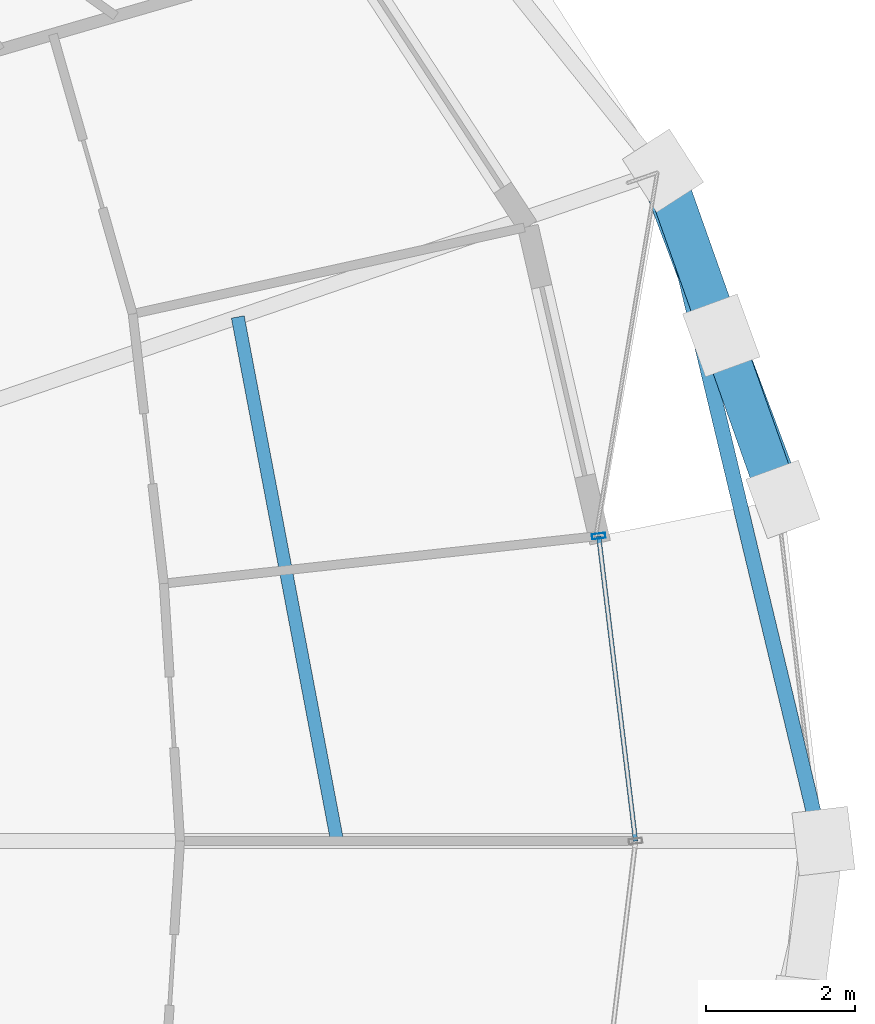
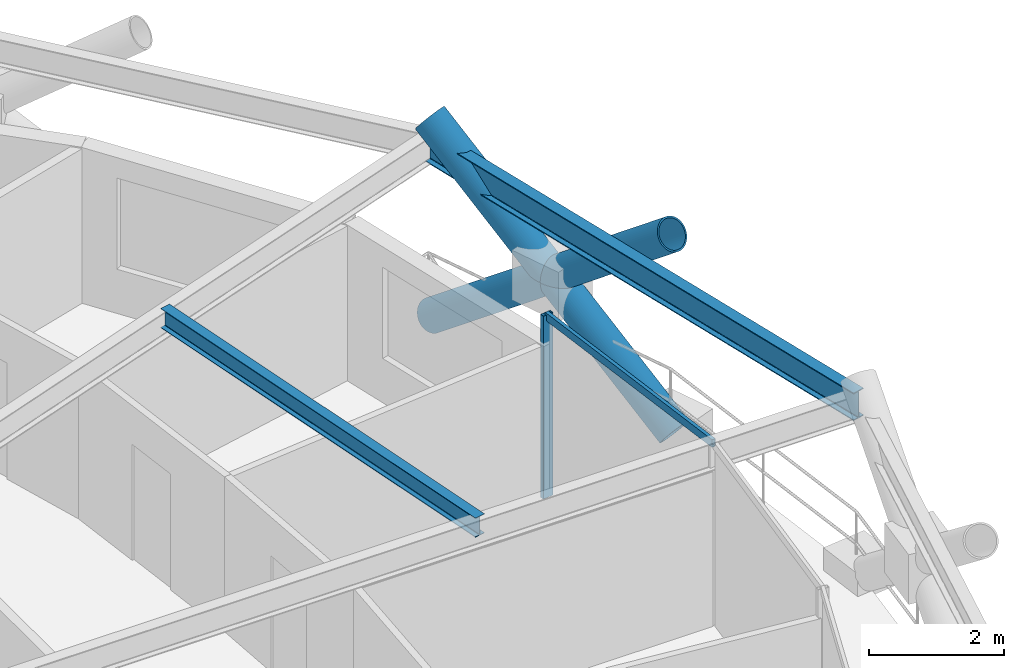
# One storey, part 12 of 20: 5 members, 2 beams, 1 element without a shape of its own.
"""IFC4 building model written with IfcOpenShell, lengths in metres."""

from ifc_helpers import new_model, si_unit, direction, frame, origin, origin_2d, place, context, subcontext, project, spatial, hollow_rectangle, hollow_circle, i_section, extrude, material, layer, layer_set, material_profile, profile_set, type_object, element, aggregate, save


model = new_model("IFC4")

# Units and contexts
model_context = context("Model", 3, precision=1e-05, world=origin(), true_north=direction((0.0, 1.0)))
body_context = subcontext(model_context, "Body", "Model", "MODEL_VIEW")
ifc_project = project(units=[si_unit("LENGTHUNIT", "METRE"), si_unit("AREAUNIT", "SQUARE_METRE"), si_unit("VOLUMEUNIT", "CUBIC_METRE"), si_unit("PLANEANGLEUNIT", "RADIAN"), si_unit("MASSUNIT", "GRAM", prefix="KILO")], contexts=[model_context])

# Site, building, storey
site_placement = place(None, origin())
site = spatial("IfcSite", under=ifc_project, at=site_placement, CompositionType="ELEMENT")
building_placement = place(site_placement, origin())
building = spatial("IfcBuilding", under=site, at=building_placement, Name="Veldorina Hangang Commons", CompositionType="ELEMENT")
storey_placement = place(building_placement, frame((0.0, 0.0, 153.199951171875)))
storey = spatial("IfcBuildingStorey", under=building, at=storey_placement, Name="L39", CompositionType="ELEMENT", Elevation=153.199951171875)

# Beams
ifc_material_1 = material(Name="Steel SM355-TMC", Category="steel")
ifc_material_profile_1 = material_profile(ifc_material_1, i_section(OverallWidth=0.175048828125, OverallDepth=0.35009765625, WebThickness=0.007080078125, FlangeThickness=0.010986328125, FilletRadius=0.012939453125, at=origin_2d()), Name="H-350x175x7x11")
ifc_profile_set_1 = profile_set([ifc_material_profile_1], Name="Steel SM355-TMC")
beam_type_1 = type_object("IfcBeamType", Name="BM-JST350", PredefinedType="JOIST", material=ifc_profile_set_1)
beam_1_placement = place(storey_placement, frame((53.7578125, 24.0, 3.175048828125), z_axis=(-0.186251316459, 0.982502135935, 0.0), x_axis=(-0.982502135935, -0.186251316459, 0.0)))
element("IfcBeam", 1, at=beam_1_placement, inside=storey, type_object=beam_type_1, Name="L39 secondary floor joist 01", PredefinedType="JOIST", context=body_context, shape_type="SweptSolid", body=[
    extrude(i_section(OverallWidth=0.175048828125, OverallDepth=0.35009765625, WebThickness=0.007080078125, FlangeThickness=0.010986328125, FilletRadius=0.012939453125, at=origin_2d()), origin(), (0.0, 0.0, 1.0), 7.15576171875),
])
ifc_material_2 = material(Name="Steel SM420-TMC", Category="steel")
ifc_material_profile_2 = material_profile(ifc_material_2, i_section(OverallWidth=0.199951171875, OverallDepth=0.5, WebThickness=0.010009765625, FlangeThickness=0.01611328125, FilletRadius=0.01611328125, at=origin_2d()), Name="H-500x200x10x16")
ifc_profile_set_2 = profile_set([ifc_material_profile_2], Name="Steel SM420-TMC")
beam_type_2 = type_object("IfcBeamType", Name="BM-RB500", PredefinedType="BEAM", material=ifc_profile_set_2)
beam_2_placement = place(storey_placement, frame((60.2412109375, 24.0, 3.10009765625), z_axis=(-0.232775980867, 0.972530381392, 0.0), x_axis=(-0.972530381392, -0.232775980867, 0.0)))
element("IfcBeam", 2, at=beam_2_placement, inside=storey, type_object=beam_type_2, Name="L39 perimeter hoop ring beam 00", PredefinedType="BEAM", context=body_context, shape_type="SweptSolid", body=[
    extrude(i_section(OverallWidth=0.199951171875, OverallDepth=0.5, WebThickness=0.010009765625, FlangeThickness=0.01611328125, FilletRadius=0.01611328125, at=origin_2d()), origin(), (0.0, 0.0, 1.0), 9.23486328125),
])

# Curtain wall, members
ifc_material_3 = material(Name="Glass Low-E Triple IGU", Category="glass")
ifc_layer = layer(ifc_material_3, 0.179931640625)
ifc_layer_set = layer_set([ifc_layer], Name="Glass Low-E Triple IGU")
curtain_wall_type = type_object("IfcCurtainWallType", Name="CW-SYS-Z2", PredefinedType="NOTDEFINED", material=ifc_layer_set)
curtain_wall_placement = place(storey_placement, origin())
curtain_wall = element("IfcCurtainWall", 3, at=curtain_wall_placement, inside=storey, type_object=curtain_wall_type, Name="L39 unitised curtain wall CW-L39-R2", PredefinedType="NOTDEFINED")
ifc_material_4 = material(Name="Aluminium Anodized AA6063-T6", Category="aluminium")
ifc_material_profile_3 = material_profile(ifc_material_4, hollow_rectangle(XDim=0.070068359375, YDim=0.179931640625, WallThickness=0.00390625, at=origin_2d()), Name="ALU-RHS-180x70x4")
ifc_profile_set_3 = profile_set([ifc_material_profile_3], Name="Aluminium Anodized AA6063-T6")
member_type_1 = type_object("IfcMemberType", Name="CW-MUL-180", PredefinedType="MULLION", material=ifc_profile_set_3)
member_1_placement = place(storey_placement, frame((57.265625, 28.09228515625, 0.0), z_axis=(0.0, 0.0, 1.0), x_axis=(0.120084858017, -0.992763630919, 0.0)))
member_1 = element("IfcMember", 4, at=member_1_placement, type_object=member_type_1, Name="CW-L39-R2 vertical mullion 6", PredefinedType="MULLION", context=body_context, shape_type="SweptSolid", body=[
    extrude(hollow_rectangle(XDim=0.070068359375, YDim=0.179931640625, WallThickness=0.00390625, at=origin_2d()), origin(), (0.0, 0.0, 1.0), 3.31005859375),
])
ifc_material_profile_4 = material_profile(ifc_material_4, hollow_rectangle(XDim=0.06005859375, YDim=0.139892578125, WallThickness=0.00341796875, at=origin_2d()), Name="ALU-RHS-140x60x3.5")
ifc_profile_set_4 = profile_set([ifc_material_profile_4], Name="Aluminium Anodized AA6063-T6")
member_type_2 = type_object("IfcMemberType", Name="CW-TRN-140", PredefinedType="USERDEFINED", material=ifc_profile_set_4)
member_2_placement = place(storey_placement, frame((57.760498046875, 24.0, 3.27001953125), z_axis=(-0.120053664661, 0.992767403575, 0.0), x_axis=(-0.992767403575, -0.120053664661, 0.0)))
member_2 = element("IfcMember", 5, at=member_2_placement, type_object=member_type_2, Name="CW-L39-R2 facet 5 transom 1", ObjectType="TRANSOM", PredefinedType="USERDEFINED", context=body_context, shape_type="SweptSolid", body=[
    extrude(hollow_rectangle(XDim=0.06005859375, YDim=0.139892578125, WallThickness=0.00341796875, at=origin_2d()), origin(), (0.0, 0.0, 1.0), 4.1220703125),
])
aggregate(curtain_wall, [member_1, member_2])

# Members
ifc_material_profile_5 = material_profile(ifc_material_2, hollow_circle(Radius=0.27490234375, WallThickness=0.028076171875, at=origin_2d()), Name="CHS-550x28")
ifc_profile_set_5 = profile_set([ifc_material_profile_5], Name="Steel SM420-TMC")
member_type_3 = type_object("IfcMemberType", Name="DG-CHS550", PredefinedType="BRACE", material=ifc_profile_set_5)
member_3_placement = place(storey_placement, frame((59.7373046875, 28.583984375, 0.0), z_axis=(-0.279137333426, 0.742880790984, 0.608449241494), x_axis=(-0.936098207893, -0.351738745634, 0.0)))
element("IfcMember", 6, at=member_3_placement, inside=storey, type_object=member_type_3, Name="L39 continuous perimeter diagrid brace 01", PredefinedType="BRACE", context=body_context, shape_type="SweptSolid", body=[
    extrude(hollow_circle(Radius=0.27490234375, WallThickness=0.028076171875, at=origin_2d()), origin(), (0.0, 0.0, 1.0), 5.916748046875),
])
member_4_placement = place(storey_placement, frame((58.1279296875, 32.99169921875, 0.0), z_axis=(0.264914830847, -0.747246510708, 0.609461060801), x_axis=(0.942521981685, 0.334144151588, 0.0)))
element("IfcMember", 7, at=member_4_placement, inside=storey, type_object=member_type_3, Name="L39 split perimeter diagrid lower brace 02", PredefinedType="BRACE", context=body_context, shape_type="SweptSolid", body=[
    extrude(hollow_circle(Radius=0.27490234375, WallThickness=0.028076171875, at=origin_2d()), origin(), (0.0, 0.0, 1.0), 2.95556640625),
])
member_5_placement = place(storey_placement, frame((58.910888671875, 30.783203125, 1.80126953125), z_axis=(0.264783397207, -0.74728310227, 0.609473311659), x_axis=(0.942579332364, 0.333982338156, 0.0)))
element("IfcMember", 8, at=member_5_placement, inside=storey, type_object=member_type_3, Name="L39 split perimeter diagrid upper brace 02", PredefinedType="BRACE", context=body_context, shape_type="SweptSolid", body=[
    extrude(hollow_circle(Radius=0.27490234375, WallThickness=0.028076171875, at=origin_2d()), origin(), (0.0, 0.0, 1.0), 2.951416015625),
])

save(model, "model.ifc")
